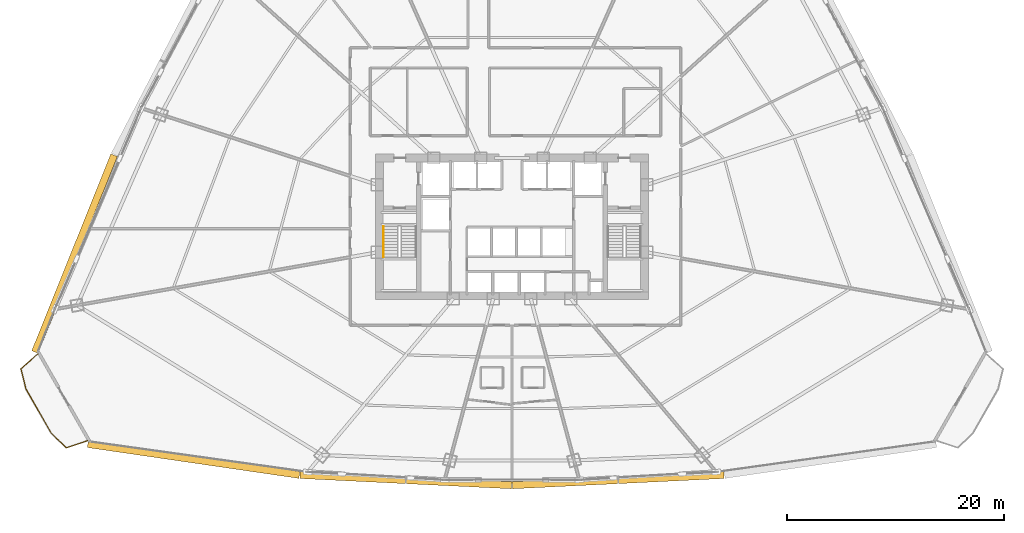
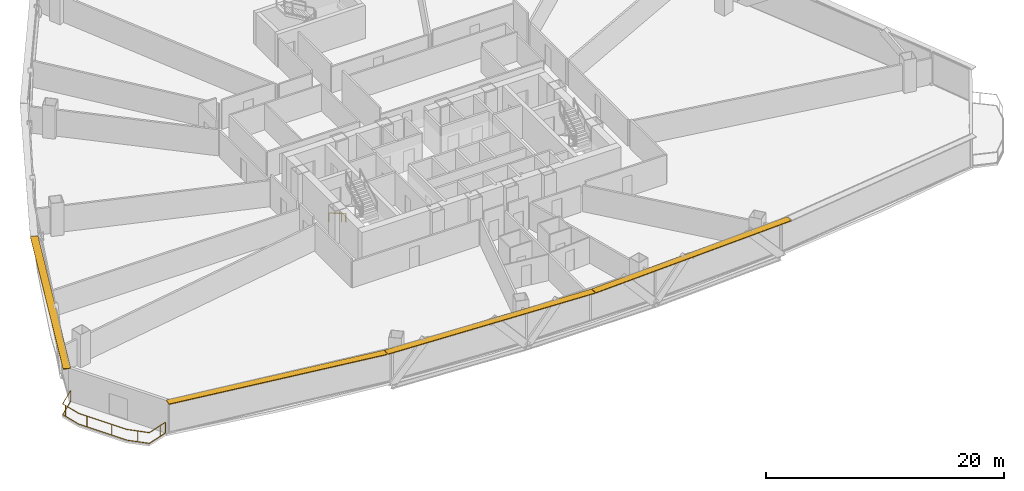
# One storey, part 35 of 38: 4 shading devices, 2 railings.
"""IFC4 building model written with IfcOpenShell, lengths in metres."""

from ifc_helpers import new_model, si_unit, direction, frame, origin, origin_2d, place, context, subcontext, project, spatial, rectangle, extrude, source, transform, mapped, material, layer, layer_set, type_object, element, save


model = new_model("IFC4")

# Units and contexts
model_context = context("Model", 3, precision=1e-05, world=origin(), true_north=direction((0.0, 1.0)))
body_context = subcontext(model_context, "Body", "Model", "MODEL_VIEW")
ifc_project = project(units=[si_unit("LENGTHUNIT", "METRE"), si_unit("AREAUNIT", "SQUARE_METRE"), si_unit("VOLUMEUNIT", "CUBIC_METRE"), si_unit("PLANEANGLEUNIT", "RADIAN"), si_unit("MASSUNIT", "GRAM", prefix="KILO"), si_unit("THERMODYNAMICTEMPERATUREUNIT", "KELVIN"), si_unit("POWERUNIT", "WATT")], contexts=[model_context])

# Site, building, storey
site_placement = place(None, origin())
site = spatial("IfcSite", under=ifc_project, at=site_placement, CompositionType="ELEMENT")
building_placement = place(site_placement, origin())
building = spatial("IfcBuilding", under=site, at=building_placement, Name="Yunzhuo Pagoda Commons", CompositionType="ELEMENT")
storey_placement = place(building_placement, frame((0.0, 0.0, 34.030029296875)))
storey = spatial("IfcBuildingStorey", under=building, at=storey_placement, Name="L08", CompositionType="ELEMENT", Elevation=34.030029296875)

# Railings
ifc_material = material(Name="Anodized aluminium 6063-T6", Category="aluminium")
railing_type_1 = type_object("IfcRailingType", Name="HR-ST1 Stair Handrail 900", PredefinedType="HANDRAIL", material=ifc_material)
railing_1_placement = place(storey_placement, frame((36.14990234375, 33.89990234375, 0.1650390625)))
element("IfcRailing", 1, at=railing_1_placement, inside=storey, type_object=railing_type_1, Name="L08 ST1 stair handrail 1", PredefinedType="HANDRAIL", context=body_context, shape_type="SweptSolid", body=[
    extrude(rectangle(XDim=0.048095703125, YDim=0.048095703125, at=origin_2d()), frame((0.0, 0.0, 0.8759765625), z_axis=(0.0, -0.861536114422, 0.507696290658), x_axis=(1.0, 0.0, 0.0)), (0.0, 0.0, 1.0), 3.249755859375),
    extrude(rectangle(XDim=0.0419921875, YDim=0.0419921875, at=origin_2d()), origin(), (0.0, 0.0, 1.0), 0.851806640625),
    extrude(rectangle(XDim=0.0419921875, YDim=0.0419921875, at=origin_2d()), frame((0.0, -2.067626953125, 1.218505859375)), (0.0, 0.0, 1.0), 0.851806640625),
    extrude(rectangle(XDim=0.0419921875, YDim=0.0419921875, at=origin_2d()), frame((0.0, -2.7998046875, 1.64990234375)), (0.0, 0.0, 1.0), 0.851806640625),
])
railing_type_2 = type_object("IfcRailingType", Name="RL-BAL1 Exterior Terrace & Balcony Balustrade 1150", PredefinedType="BALUSTRADE", material=ifc_material)
railing_2_placement = place(storey_placement, frame((4.3310546875, 22.15283203125, 0.0)))
element("IfcRailing", 2, at=railing_2_placement, inside=storey, type_object=railing_type_2, Name="L08 corner balcony balustrade V1", PredefinedType="BALUSTRADE", context=body_context, shape_type="SweptSolid", body=[
    extrude(rectangle(XDim=0.048095703125, YDim=0.048095703125, at=origin_2d()), frame((0.0, 0.0, 1.1259765625), z_axis=(-0.753992555518, -0.656882962348, 0.0), x_axis=(0.656882962348, -0.753992555518, 0.0)), (0.0, 0.0, 1.0), 2.05908203125),
    extrude(rectangle(XDim=0.048095703125, YDim=0.048095703125, at=origin_2d()), frame((0.0, 0.0, 0.02392578125), z_axis=(-0.753992555518, -0.656882962348, 0.0), x_axis=(0.656882962348, -0.753992555518, 0.0)), (0.0, 0.0, 1.0), 2.05908203125),
    extrude(rectangle(XDim=0.048095703125, YDim=0.048095703125, at=origin_2d()), frame((-1.552490234375, -1.3525390625, 1.1259765625), z_axis=(0.241437285423, -0.970416424638, 0.0), x_axis=(0.970416424638, 0.241437285423, 0.0)), (0.0, 0.0, 1.0), 1.935546875),
    extrude(rectangle(XDim=0.048095703125, YDim=0.048095703125, at=origin_2d()), frame((-1.552490234375, -1.3525390625, 0.02392578125), z_axis=(0.241437285423, -0.970416424638, 0.0), x_axis=(0.970416424638, 0.241437285423, 0.0)), (0.0, 0.0, 1.0), 1.935546875),
    extrude(rectangle(XDim=0.048095703125, YDim=0.048095703125, at=origin_2d()), frame((-1.085205078125, -3.230712890625, 1.1259765625), z_axis=(0.497917619796, -0.867224333086, 0.0), x_axis=(0.867224333086, 0.497917619796, 0.0)), (0.0, 0.0, 1.0), 4.68310546875),
    extrude(rectangle(XDim=0.048095703125, YDim=0.048095703125, at=origin_2d()), frame((-1.085205078125, -3.230712890625, 0.02392578125), z_axis=(0.497917619796, -0.867224333086, 0.0), x_axis=(0.867224333086, 0.497917619796, 0.0)), (0.0, 0.0, 1.0), 4.68310546875),
    extrude(rectangle(XDim=0.048095703125, YDim=0.048095703125, at=origin_2d()), frame((1.24658203125, -7.2919921875, 1.1259765625), z_axis=(0.716379924968, -0.697710400598, 0.0), x_axis=(0.697710400598, 0.716379924968, 0.0)), (0.0, 0.0, 1.0), 1.935302734375),
    extrude(rectangle(XDim=0.048095703125, YDim=0.048095703125, at=origin_2d()), frame((1.24658203125, -7.2919921875, 0.02392578125), z_axis=(0.716379924968, -0.697710400598, 0.0), x_axis=(0.697710400598, 0.716379924968, 0.0)), (0.0, 0.0, 1.0), 1.935302734375),
    extrude(rectangle(XDim=0.048095703125, YDim=0.048095703125, at=origin_2d()), frame((2.633056640625, -8.642333984375, 1.1259765625), z_axis=(0.947419062147, 0.319995501031, 0.0), x_axis=(-0.319995501031, 0.947419062147, 0.0)), (0.0, 0.0, 1.0), 2.05908203125),
    extrude(rectangle(XDim=0.048095703125, YDim=0.048095703125, at=origin_2d()), frame((2.633056640625, -8.642333984375, 0.02392578125), z_axis=(0.947419062147, 0.319995501031, 0.0), x_axis=(-0.319995501031, 0.947419062147, 0.0)), (0.0, 0.0, 1.0), 2.05908203125),
    extrude(rectangle(XDim=0.0419921875, YDim=0.0419921875, at=origin_2d()), origin(), (0.0, 0.0, 1.0), 1.101806640625),
    extrude(rectangle(XDim=0.0419921875, YDim=0.0419921875, at=origin_2d()), frame((-1.47021484375, -1.683349609375, 0.0)), (0.0, 0.0, 1.0), 1.101806640625),
    extrude(rectangle(XDim=0.0419921875, YDim=0.0419921875, at=origin_2d()), frame((-0.68408203125, -3.92919921875, 0.0)), (0.0, 0.0, 1.0), 1.101806640625),
    extrude(rectangle(XDim=0.0419921875, YDim=0.0419921875, at=origin_2d()), frame((0.510986328125, -6.0107421875, 0.0)), (0.0, 0.0, 1.0), 1.101806640625),
    extrude(rectangle(XDim=0.0419921875, YDim=0.0419921875, at=origin_2d()), frame((1.907470703125, -7.935546875, 0.0)), (0.0, 0.0, 1.0), 1.101806640625),
    extrude(rectangle(XDim=0.0419921875, YDim=0.0419921875, at=origin_2d()), frame((3.947265625, -8.198486328125, 0.0)), (0.0, 0.0, 1.0), 1.101806640625),
    extrude(rectangle(XDim=0.0419921875, YDim=0.0419921875, at=origin_2d()), frame((4.583984375, -7.9833984375, 0.0)), (0.0, 0.0, 1.0), 1.101806640625),
])

# Shading devices
ifc_layer = layer(ifc_material, 0.080078125)
ifc_layer_set = layer_set([ifc_layer], Name="Anodized aluminium 6063-T6")
shading_device_type = type_object("IfcShadingDeviceType", Name="SH-SUN1 Pagoda Horizontal Sunshade Eave 650", PredefinedType="USERDEFINED", material=ifc_layer_set)
shared_shape_1 = source(origin(), body_context, "Body", "SweptSolid", [
    extrude(rectangle(XDim=19.689453125, YDim=0.64990234375, at=origin_2d()), origin(), (0.0, 0.0, 1.0), 0.080078125),
])
shading_device_1_placement = place(storey_placement, frame((18.681396484375, 12.4375, 3.2900390625), z_axis=(0.0, 0.0, 1.0), x_axis=(0.989510666697, -0.144459823108, 0.0)))
element("IfcShadingDevice", 3, at=shading_device_1_placement, inside=storey, type_object=shading_device_type, Name="L08 horizontal pagoda sunshade eave F1.1", ObjectType="SUNSHADE", PredefinedType="USERDEFINED", context=body_context, shape_type="MappedRepresentation", body=[
    mapped(shared_shape_1, transform((0.0, 0.0, 0.0), scale=1.0)),
])
shared_shape_2 = source(origin(), body_context, "Body", "SweptSolid", [
    extrude(rectangle(XDim=19.505615234375, YDim=0.64990234375, at=origin_2d()), origin(), (0.0, 0.0, 1.0), 0.080078125),
])
for number, where, z_axis, x_axis, name in (
    (4, (38.22705078125, 10.535400390625, 3.2900390625), (0.0, 0.0, 1.0), (0.998818043775, -0.04860571396, 0.0), "L08 horizontal pagoda sunshade eave F1.2"),
    (5, (57.77294921875, 10.535400390625, 3.2900390625), (0.0, 0.0, 1.0), (0.998818043775, 0.04860571396, 0.0), "L08 horizontal pagoda sunshade eave F1.3"),
):
    element("IfcShadingDevice", number, at=place(storey_placement, frame(where, z_axis=z_axis, x_axis=x_axis)), inside=storey, type_object=shading_device_type, Name=name, ObjectType="SUNSHADE", PredefinedType="USERDEFINED", context=body_context, shape_type="MappedRepresentation", body=[
        mapped(shared_shape_2, transform((0.0, 0.0, 0.0), scale=1.0)),
    ])
shared_shape_3 = source(origin(), body_context, "Body", "SweptSolid", [
    extrude(rectangle(XDim=19.53125, YDim=0.64990234375, at=origin_2d()), origin(), (0.0, 0.0, 1.0), 0.080078125),
])
shading_device_2_placement = place(storey_placement, frame((7.718505859375, 31.391357421875, 3.2900390625), z_axis=(0.0, 0.0, 1.0), x_axis=(-0.372987782576, -0.927836253899, 0.0)))
element("IfcShadingDevice", 6, at=shading_device_2_placement, inside=storey, type_object=shading_device_type, Name="L08 horizontal pagoda sunshade eave F3.4", ObjectType="SUNSHADE", PredefinedType="USERDEFINED", context=body_context, shape_type="MappedRepresentation", body=[
    mapped(shared_shape_3, transform((0.0, 0.0, 0.0), scale=1.0)),
])

save(model, "model.ifc")
